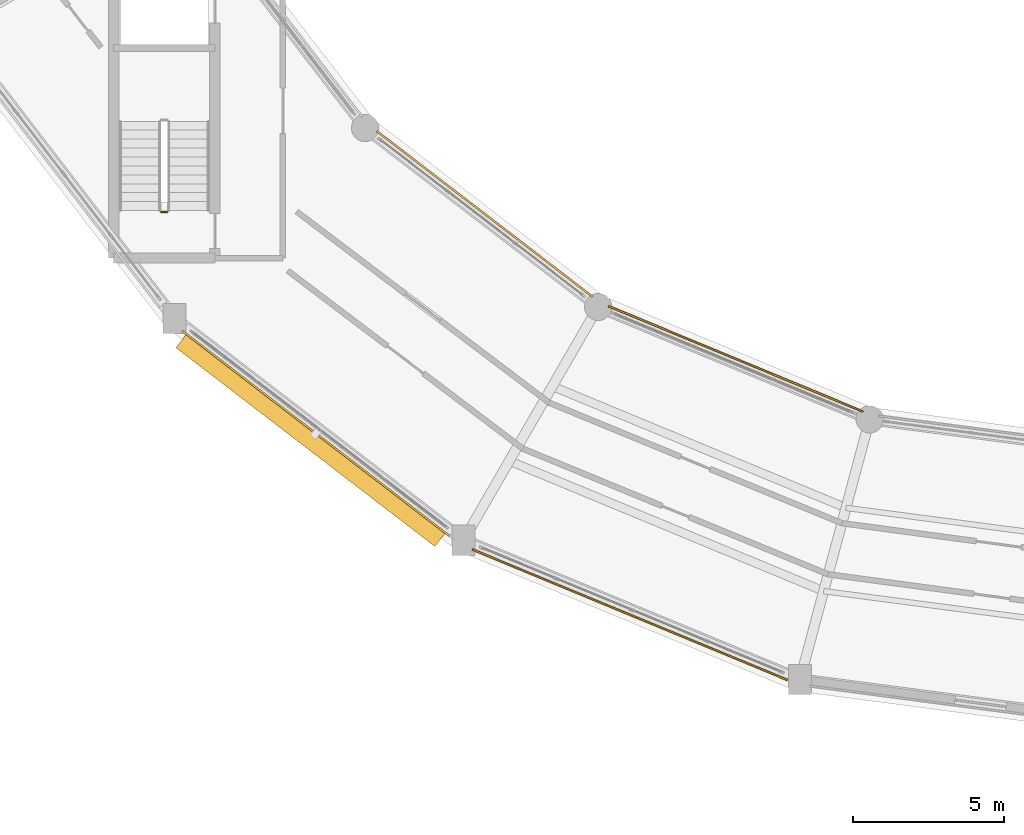
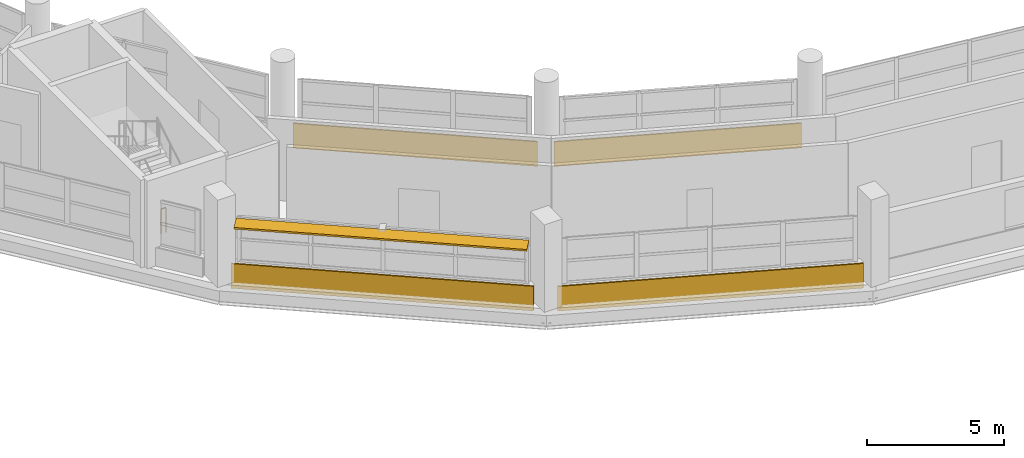
# One storey, part 82 of 88: 4 coverings, 1 railing, 1 shading device.
"""IFC4 building model written with IfcOpenShell, lengths in metres."""

from ifc_helpers import new_model, si_unit, direction, frame, frame_2d, origin, origin_2d, place, context, subcontext, project, spatial, rectangle, circle, extrude, material, layer, layer_set, type_object, element, save


model = new_model("IFC4")

# Units and contexts
model_context = context("Model", 3, precision=1e-05, world=origin(), true_north=direction((0.0, 1.0)))
body_context = subcontext(model_context, "Body", "Model", "MODEL_VIEW")
ifc_project = project(units=[si_unit("LENGTHUNIT", "METRE"), si_unit("AREAUNIT", "SQUARE_METRE"), si_unit("VOLUMEUNIT", "CUBIC_METRE"), si_unit("PLANEANGLEUNIT", "RADIAN"), si_unit("MASSUNIT", "GRAM", prefix="KILO")], contexts=[model_context])

# Site, building, storey
site_placement = place(None, origin())
site = spatial("IfcSite", under=ifc_project, at=site_placement, CompositionType="ELEMENT")
building_placement = place(site_placement, origin())
building = spatial("IfcBuilding", under=site, at=building_placement, Name="Vespera Passage Community Centre", CompositionType="ELEMENT")
storey_placement = place(building_placement, frame((0.0, 0.0, 16.5)))
storey = spatial("IfcBuildingStorey", under=building, at=storey_placement, Name="L04", CompositionType="ELEMENT", Elevation=16.5)

# Coverings
ifc_material_1 = material(Name="Precast concrete f'c 40 MPa", Category="concrete")
ifc_layer = layer(ifc_material_1, 0.06005859375)
ifc_layer_set = layer_set([ifc_layer], Name="Precast concrete f'c 40 MPa")
covering_type = type_object("IfcCoveringType", Name="COV-CLAD-60E", PredefinedType="CLADDING", material=ifc_layer_set)
covering_1_placement = place(storey_placement, frame((54.4912109375, 25.7138671875, -0.280029296875), z_axis=(0.0, 0.0, 1.0), x_axis=(-0.793342066679, 0.608776120785, 0.0)))
element("IfcCovering", 1, at=covering_1_placement, inside=storey, type_object=covering_type, Name="V4 L04 Outer White Spandrel Band O15", PredefinedType="CLADDING", context=body_context, shape_type="SweptSolid", body=[
    extrude(rectangle(XDim=11.13916015625, YDim=0.06005859375, at=frame_2d((5.569580078125, 0.0))), origin(), (0.0, 0.0, 1.0), 1.10009765625),
])
covering_2_placement = place(storey_placement, frame((52.0703125, 39.103515625, -0.280029296875), z_axis=(0.0, 0.0, 1.0), x_axis=(0.793350132061, -0.608765610033, 0.0)))
element("IfcCovering", 2, at=covering_2_placement, inside=storey, type_object=covering_type, Name="V4 L04 Inner Court White Spandrel Band I15", PredefinedType="CLADDING", context=body_context, shape_type="SweptSolid", body=[
    extrude(rectangle(XDim=9.004638671875, YDim=0.06005859375, at=frame_2d((4.50244140625, 0.0))), origin(), (0.0, 0.0, 1.0), 1.10009765625),
])
covering_3_placement = place(storey_placement, frame((65.6513671875, 20.95947265625, -0.280029296875), z_axis=(0.0, 0.0, 1.0), x_axis=(-0.923883530636, 0.382673779896, 0.0)))
element("IfcCovering", 3, at=covering_3_placement, inside=storey, type_object=covering_type, Name="V4 L04 Outer White Spandrel Band O16", PredefinedType="CLADDING", context=body_context, shape_type="SweptSolid", body=[
    extrude(rectangle(XDim=11.2724609375, YDim=0.06005859375, at=frame_2d((5.63623046875, 0.0))), origin(), (0.0, 0.0, 1.0), 1.10009765625),
])
covering_4_placement = place(storey_placement, frame((59.736083984375, 33.3125, -0.280029296875), z_axis=(0.0, 0.0, 1.0), x_axis=(0.92387477551, -0.38269491658, 0.0)))
element("IfcCovering", 4, at=covering_4_placement, inside=storey, type_object=covering_type, Name="V4 L04 Inner Court White Spandrel Band I16", PredefinedType="CLADDING", context=body_context, shape_type="SweptSolid", body=[
    extrude(rectangle(XDim=9.11181640625, YDim=0.06005859375, at=frame_2d((4.555908203125, 0.0))), origin(), (0.0, 0.0, 1.0), 1.10009765625),
])

# Railing
ifc_material_2 = material(Name="Steel ASTM A500 Grade C", Category="steel")
railing_type = type_object("IfcRailingType", Name="RL-STAIR-1100I", PredefinedType="GUARDRAIL", material=ifc_material_2)
railing_placement = place(storey_placement, frame((45.160888671875, 36.419921875, 0.0)))
element("IfcRailing", 5, at=railing_placement, inside=storey, type_object=railing_type, Name="L04 ST05 stair guard 4", PredefinedType="GUARDRAIL", context=body_context, shape_type="SweptSolid", body=[
    extrude(circle(Radius=0.02392578125, at=origin_2d()), frame((0.0, 0.0, 1.09619140625), z_axis=(-1.0, 0.0, 0.0), x_axis=(0.0, -1.0, 0.0)), (0.0, 0.0, 1.0), 0.199951171875),
    extrude(circle(Radius=0.02099609375, at=origin_2d()), origin(), (0.0, 0.0, 1.0), 1.072021484375),
    extrude(circle(Radius=0.02099609375, at=origin_2d()), frame((-0.199951171875, 0.0, 0.0)), (0.0, 0.0, 1.0), 1.072021484375),
])

# Shading device
ifc_material_3 = material(Name="Anodized aluminium 6063-T6", Category="aluminium")
shading_device_type = type_object("IfcShadingDeviceType", Name="SHD-EYEBROW", PredefinedType="JALOUSIE", material=ifc_material_3)
shading_device_placement = place(storey_placement, frame((49.908203125, 28.89013671875, 2.74560546875), z_axis=(0.0, 0.0, 1.0), x_axis=(-0.793342715279, 0.608775275544, 0.0)))
element("IfcShadingDevice", 6, at=shading_device_placement, inside=storey, type_object=shading_device_type, Name="V4 L04 Outer Solar Eyebrow 15", PredefinedType="JALOUSIE", context=body_context, shape_type="SweptSolid", body=[
    extrude(rectangle(XDim=10.789306640625, YDim=0.60009765625, at=origin_2d()), origin(), (0.0, 0.0, 1.0), 0.080078125),
])

save(model, "model.ifc")
